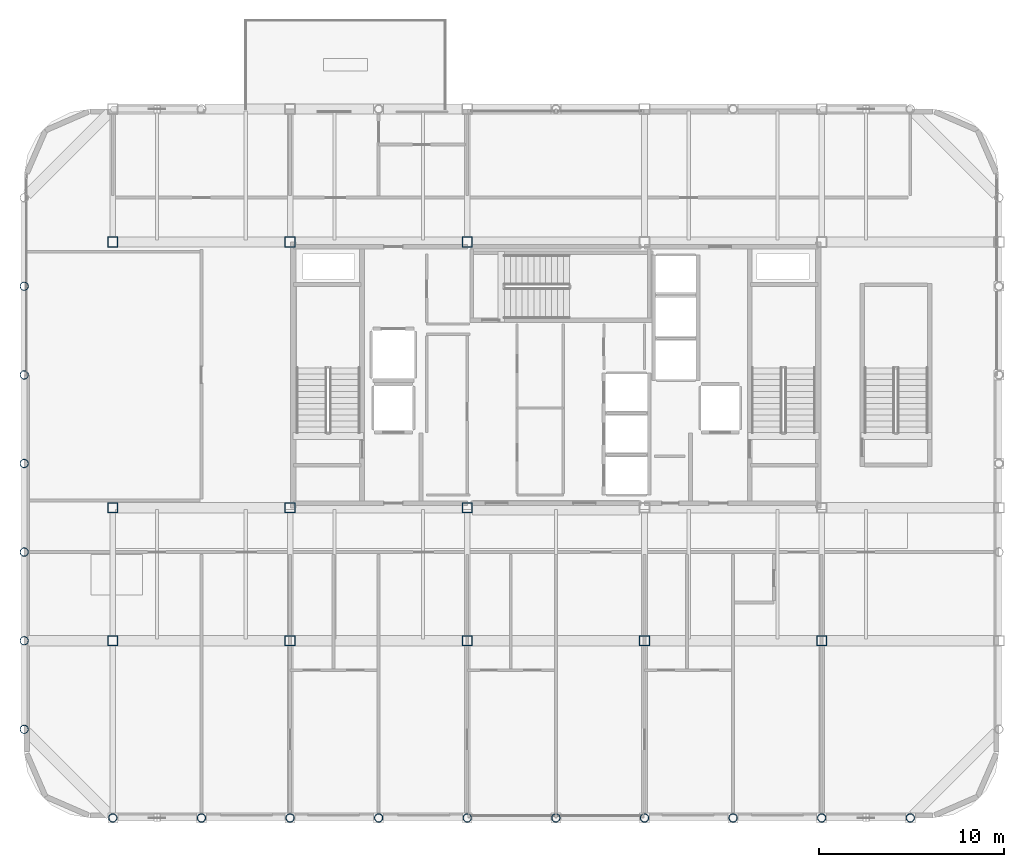
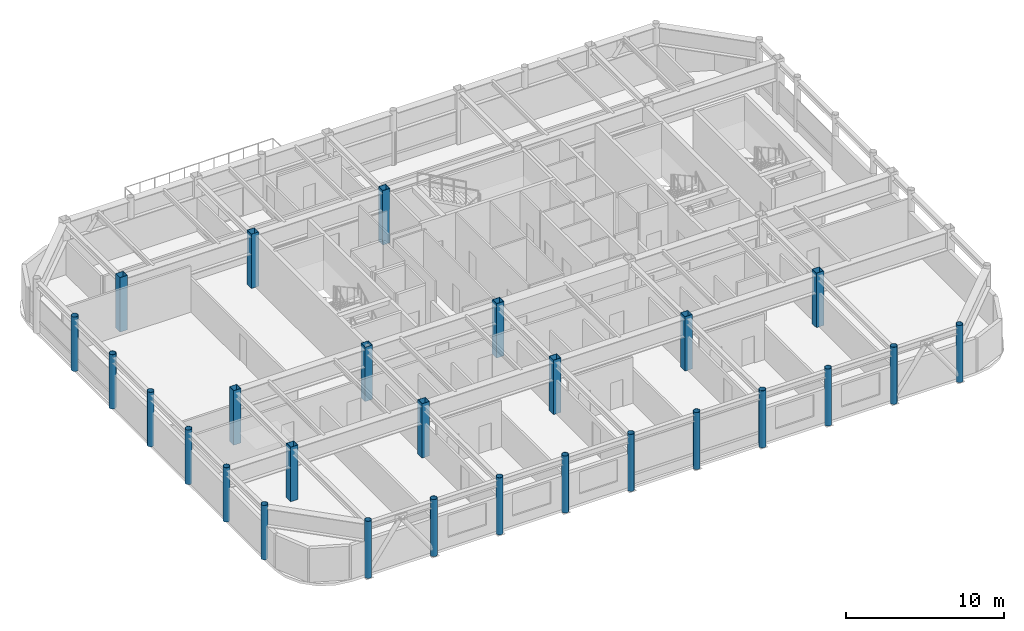
# One storey, part 1 of 23: 27 columns.
"""IFC4 building model written with IfcOpenShell, lengths in metres."""

from ifc_helpers import new_model, si_unit, direction, frame, origin, origin_2d, place, context, subcontext, project, spatial, hollow_rectangle, hollow_circle, extrude, material, material_profile, profile_set, type_object, element, save


model = new_model("IFC4")

# Units and contexts
model_context = context("Model", 3, precision=1e-05, world=origin(), true_north=direction((0.0, 1.0)))
body_context = subcontext(model_context, "Body", "Model", "MODEL_VIEW")
ifc_project = project(units=[si_unit("LENGTHUNIT", "METRE"), si_unit("AREAUNIT", "SQUARE_METRE"), si_unit("VOLUMEUNIT", "CUBIC_METRE"), si_unit("PLANEANGLEUNIT", "RADIAN"), si_unit("MASSUNIT", "GRAM", prefix="KILO")], contexts=[model_context])

# Site, building, storey
site_placement = place(None, origin())
site = spatial("IfcSite", under=ifc_project, at=site_placement, CompositionType="ELEMENT")
building_placement = place(site_placement, origin())
building = spatial("IfcBuilding", under=site, at=building_placement, Name="Kallvorn Hotel Tower", CompositionType="ELEMENT")
storey_placement = place(building_placement, frame((0.0, 0.0, 282.199951171875)))
storey = spatial("IfcBuildingStorey", under=building, at=storey_placement, Name="L70", CompositionType="ELEMENT", Elevation=282.199951171875)

# Columns
ifc_material_1 = material(Name="Structural steel S355J2H", Category="steel")
ifc_material_profile_1 = material_profile(ifc_material_1, hollow_circle(Radius=0.228515625, WallThickness=0.02001953125, at=origin_2d()), Name="CHS 457x20")
ifc_profile_set_1 = profile_set([ifc_material_profile_1], Name="Structural steel S355J2H")
column_type_1 = type_object("IfcColumnType", Name="COL_CHS_457", PredefinedType="COLUMN", material=ifc_profile_set_1)
for number, where, z_axis, x_axis, name in (
    (1, (-28.800048828125, -19.199951171875, 0.0), (0.0, 0.0, 1.0), (1.0, 0.0, 0.0), "L70 Exoskeleton Column EC01"),
    (2, (-28.800048828125, -14.39990234375, 0.0), (0.0, 0.0, 1.0), (1.0, 0.0, 0.0), "L70 Exoskeleton Column EC02"),
    (3, (-28.800048828125, -9.60009765625, 0.0), (0.0, 0.0, 1.0), (1.0, 0.0, 0.0), "L70 Exoskeleton Column EC03"),
    (4, (-28.800048828125, -4.800048828125, 0.0), (0.0, 0.0, 1.0), (1.0, 0.0, 0.0), "L70 Exoskeleton Column EC04"),
    (5, (-28.800048828125, 0.0, 0.0), (0.0, 0.0, 1.0), (1.0, 0.0, 0.0), "L70 Exoskeleton Column EC05"),
    (6, (-28.800048828125, 4.800048828125, 0.0), (0.0, 0.0, 1.0), (1.0, 0.0, 0.0), "L70 Exoskeleton Column EC06"),
):
    element("IfcColumn", number, at=place(storey_placement, frame(where, z_axis=z_axis, x_axis=x_axis)), inside=storey, type_object=column_type_1, Name=name, PredefinedType="COLUMN", context=body_context, shape_type="SweptSolid", body=[
        extrude(hollow_circle(Radius=0.228515625, WallThickness=0.02001953125, at=origin_2d()), origin(), (0.0, 0.0, 1.0), 4.199951171875),
    ])
for number, where, z_axis, x_axis, name in (
    (7, (-24.0, -24.0, -0.199951171875), (0.0, 0.0, 1.0), (1.0, 0.0, 0.0), "L70 Exoskeleton Column EC08"),
    (8, (-19.199951171875, -24.0, -0.199951171875), (0.0, 0.0, 1.0), (1.0, 0.0, 0.0), "L70 Exoskeleton Column EC09"),
    (9, (-14.39990234375, -24.0, -0.199951171875), (0.0, 0.0, 1.0), (1.0, 0.0, 0.0), "L70 Exoskeleton Column EC11"),
    (10, (-9.60009765625, -24.0, -0.199951171875), (0.0, 0.0, 1.0), (1.0, 0.0, 0.0), "L70 Exoskeleton Column EC12"),
    (11, (-4.800048828125, -24.0, -0.199951171875), (0.0, 0.0, 1.0), (1.0, 0.0, 0.0), "L70 Exoskeleton Column EC14"),
    (12, (0.0, -24.0, -0.199951171875), (0.0, 0.0, 1.0), (1.0, 0.0, 0.0), "L70 Exoskeleton Column EC15"),
    (13, (4.800048828125, -24.0, -0.199951171875), (0.0, 0.0, 1.0), (1.0, 0.0, 0.0), "L70 Exoskeleton Column EC17"),
    (14, (9.60009765625, -24.0, -0.199951171875), (0.0, 0.0, 1.0), (1.0, 0.0, 0.0), "L70 Exoskeleton Column EC18"),
    (15, (14.39990234375, -24.0, -0.199951171875), (0.0, 0.0, 1.0), (1.0, 0.0, 0.0), "L70 Exoskeleton Column EC20"),
    (16, (19.199951171875, -24.0, -0.199951171875), (0.0, 0.0, 1.0), (1.0, 0.0, 0.0), "L70 Exoskeleton Column EC21"),
):
    element("IfcColumn", number, at=place(storey_placement, frame(where, z_axis=z_axis, x_axis=x_axis)), inside=storey, type_object=column_type_1, Name=name, PredefinedType="COLUMN", context=body_context, shape_type="SweptSolid", body=[
        extrude(hollow_circle(Radius=0.228515625, WallThickness=0.02001953125, at=origin_2d()), origin(), (0.0, 0.0, 1.0), 4.39990234375),
    ])
ifc_material_2 = material(Name="Structural steel S355J2H", Category="steel")
ifc_material_profile_2 = material_profile(ifc_material_2, hollow_rectangle(XDim=0.550048828125, YDim=0.550048828125, WallThickness=0.02490234375, at=origin_2d()), Name="RHS 550x550x25")
ifc_profile_set_2 = profile_set([ifc_material_profile_2], Name="Structural steel S355J2H")
column_type_2 = type_object("IfcColumnType", Name="COL_RHS_550", PredefinedType="COLUMN", material=ifc_profile_set_2)
for number, where, z_axis, x_axis, name in (
    (17, (-24.0, -14.39990234375, 0.0), (0.0, 0.0, 1.0), (1.0, 0.0, 0.0), "L70 Inner Column IC01"),
    (18, (-24.0, -7.199951171875, 0.0), (0.0, 0.0, 1.0), (1.0, 0.0, 0.0), "L70 Inner Column IC02"),
    (19, (-24.0, 7.199951171875, 0.0), (0.0, 0.0, 1.0), (1.0, 0.0, 0.0), "L70 Inner Column IC03"),
    (20, (-14.39990234375, -14.39990234375, 0.0), (0.0, 0.0, 1.0), (1.0, 0.0, 0.0), "L70 Inner Column IC05"),
    (21, (-14.39990234375, -7.199951171875, 0.0), (0.0, 0.0, 1.0), (1.0, 0.0, 0.0), "L70 Inner Column IC06"),
    (22, (-14.39990234375, 7.199951171875, 0.0), (0.0, 0.0, 1.0), (1.0, 0.0, 0.0), "L70 Inner Column IC07"),
    (23, (-4.800048828125, -14.39990234375, 0.0), (0.0, 0.0, 1.0), (1.0, 0.0, 0.0), "L70 Inner Column IC09"),
    (24, (-4.800048828125, -7.199951171875, 0.0), (0.0, 0.0, 1.0), (1.0, 0.0, 0.0), "L70 Inner Column IC10"),
    (25, (-4.800048828125, 7.199951171875, 0.0), (0.0, 0.0, 1.0), (1.0, 0.0, 0.0), "L70 Inner Column IC11"),
    (26, (4.800048828125, -14.39990234375, 0.0), (0.0, 0.0, 1.0), (1.0, 0.0, 0.0), "L70 Inner Column IC13"),
    (27, (14.39990234375, -14.39990234375, 0.0), (0.0, 0.0, 1.0), (1.0, 0.0, 0.0), "L70 Inner Column IC17"),
):
    element("IfcColumn", number, at=place(storey_placement, frame(where, z_axis=z_axis, x_axis=x_axis)), inside=storey, type_object=column_type_2, Name=name, PredefinedType="COLUMN", context=body_context, shape_type="SweptSolid", body=[
        extrude(hollow_rectangle(XDim=0.550048828125, YDim=0.550048828125, WallThickness=0.02490234375, at=origin_2d()), origin(), (0.0, 0.0, 1.0), 4.199951171875),
    ])

save(model, "model.ifc")
